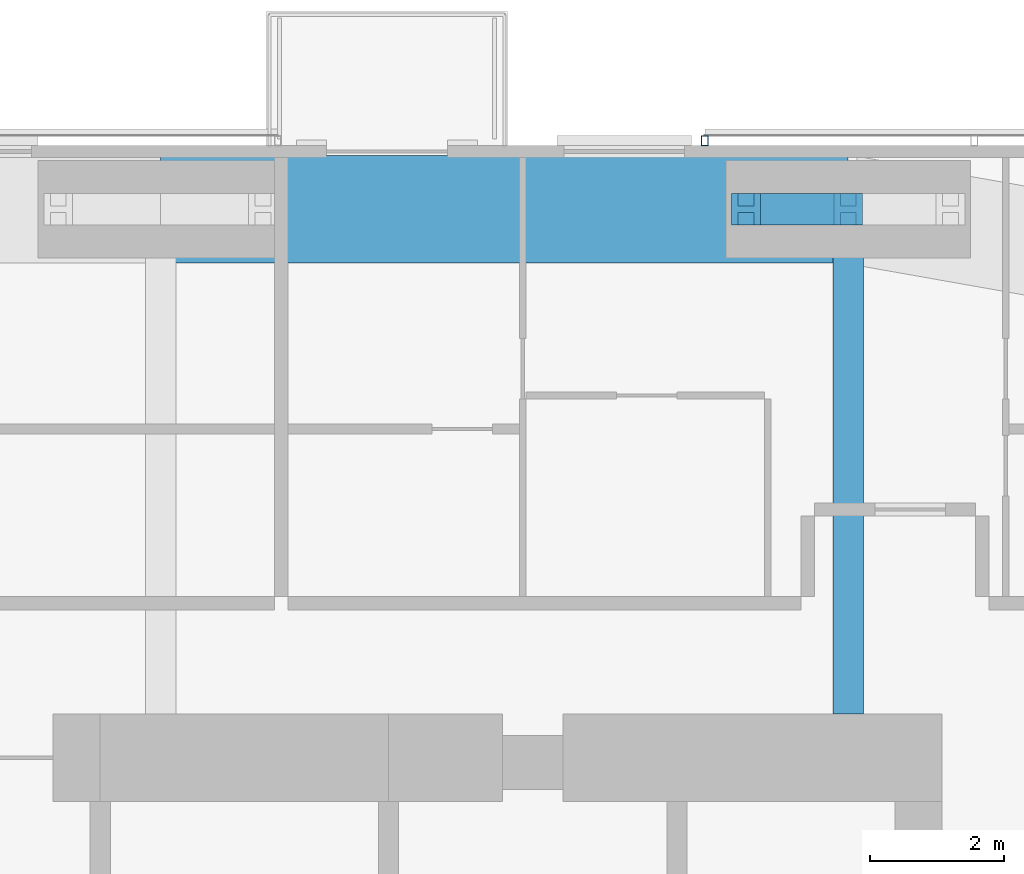
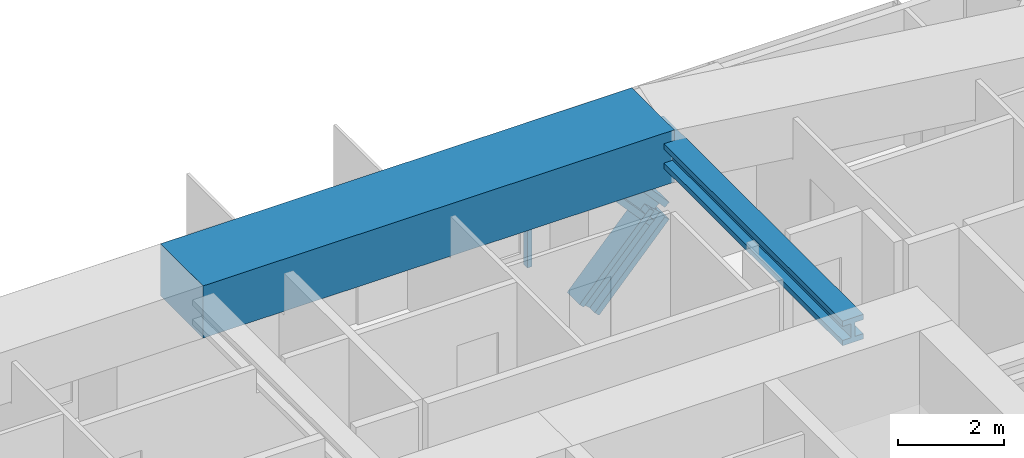
# One storey, part 12 of 23: 3 members, 2 beams, 1 element without a shape of its own.
"""IFC4 building model written with IfcOpenShell, lengths in metres."""

from ifc_helpers import new_model, si_unit, direction, frame, origin, origin_2d, place, context, subcontext, project, spatial, rectangle, hollow_rectangle, i_section, extrude, material, material_profile, profile_set, type_object, element, aggregate, save


model = new_model("IFC4")

# Units and contexts
model_context = context("Model", 3, precision=1e-05, world=origin(), true_north=direction((0.0, 1.0)))
body_context = subcontext(model_context, "Body", "Model", "MODEL_VIEW")
ifc_project = project(units=[si_unit("LENGTHUNIT", "METRE"), si_unit("AREAUNIT", "SQUARE_METRE"), si_unit("VOLUMEUNIT", "CUBIC_METRE"), si_unit("PLANEANGLEUNIT", "RADIAN"), si_unit("MASSUNIT", "GRAM", prefix="KILO")], contexts=[model_context])

# Site, building, storey
site_placement = place(None, origin())
site = spatial("IfcSite", under=ifc_project, at=site_placement, CompositionType="ELEMENT")
building_placement = place(site_placement, origin())
building = spatial("IfcBuilding", under=site, at=building_placement, Name="Jalousie Tower", CompositionType="ELEMENT")
storey_placement = place(building_placement, frame((0.0, 0.0, 194.550048828125)))
storey = spatial("IfcBuildingStorey", under=building, at=storey_placement, Name="L53", CompositionType="ELEMENT", Elevation=194.550048828125)

# Beam
ifc_material_1 = material(Name="Steel ASTM A992 Grade 50", Category="steel")
ifc_material_profile_1 = material_profile(ifc_material_1, i_section(OverallWidth=0.45458984375, OverallDepth=0.569091796875, WebThickness=0.077880859375, FlangeThickness=0.124755859375, at=origin_2d()), Name="W14X730")
ifc_profile_set_1 = profile_set([ifc_material_profile_1], Name="Steel ASTM A992 Grade 50")
beam_type_1 = type_object("IfcBeamType", Name="LEAN COLLECTOR W14X730", PredefinedType="BEAM", material=ifc_profile_set_1)
beam_1_placement = place(storey_placement, frame((42.75, 35.050048828125, 2.825439453125), z_axis=(0.0, -1.0, 0.0), x_axis=(1.0, 0.0, 0.0)))
element("IfcBeam", 1, at=beam_1_placement, inside=storey, type_object=beam_type_1, Name="Lean collector under L54", PredefinedType="BEAM", context=body_context, shape_type="SweptSolid", body=[
    extrude(i_section(OverallWidth=0.45458984375, OverallDepth=0.569091796875, WebThickness=0.077880859375, FlangeThickness=0.124755859375, at=origin_2d()), origin(), (0.0, 0.0, 1.0), 7.525146484375),
])

# Members
ifc_material_2 = material(Name="Steel ASTM A992 Grade 50", Category="steel")
ifc_material_profile_2 = material_profile(ifc_material_2, i_section(OverallWidth=0.472412109375, OverallDepth=0.5791015625, WebThickness=0.094970703125, FlangeThickness=0.1298828125, at=origin_2d()), Name="W14X808")
ifc_profile_set_2 = profile_set([ifc_material_profile_2], Name="Steel ASTM A992 Grade 50")
member_type_1 = type_object("IfcMemberType", Name="PERIMETER BRACE W14X808", PredefinedType="BRACE", material=ifc_profile_set_2)
for number, where, z_axis, x_axis, name in (
    (2, (41.22509765625, 35.050048828125, -0.60009765625), (0.673187629365, 0.0, 0.739471713908), (0.0, 1.0, 0.0), "Perimeter brace 09 L53 part 1"),
    (3, (42.75, 35.050048828125, 1.074951171875), (-0.673187629365, 0.0, 0.739471713908), (0.0, -1.0, 0.0), "Perimeter brace 09 L53 part 4"),
):
    element("IfcMember", number, at=place(storey_placement, frame(where, z_axis=z_axis, x_axis=x_axis)), inside=storey, type_object=member_type_1, Name=name, PredefinedType="BRACE", context=body_context, shape_type="SweptSolid", body=[
        extrude(i_section(OverallWidth=0.472412109375, OverallDepth=0.5791015625, WebThickness=0.094970703125, FlangeThickness=0.1298828125, at=origin_2d()), origin(), (0.0, 0.0, 1.0), 2.26513671875),
    ])

# Beam
ifc_material_3 = material(Name="Concrete f'c 40 MPa", Category="concrete")
ifc_material_profile_3 = material_profile(ifc_material_3, rectangle(XDim=1.60009765625, YDim=1.199951171875, at=origin_2d()), Name="RC 1600x1200")
ifc_profile_set_3 = profile_set([ifc_material_profile_3], Name="Concrete f'c 40 MPa")
beam_type_2 = type_object("IfcBeamType", Name="RC BEAM 1600x1200", PredefinedType="BEAM", material=ifc_profile_set_3)
beam_2_placement = place(storey_placement, frame((42.75, 35.050048828125, 2.75), z_axis=(-1.0, 0.0, 0.0), x_axis=(0.0, -1.0, 0.0)))
element("IfcBeam", 4, at=beam_2_placement, inside=storey, type_object=beam_type_2, Name="Edge band beam 09-10 under L54", PredefinedType="BEAM", context=body_context, shape_type="SweptSolid", body=[
    extrude(rectangle(XDim=1.60009765625, YDim=1.199951171875, at=origin_2d()), origin(), (0.0, 0.0, 1.0), 10.25),
])

# Curtain wall, member
ifc_material_4 = material(Name="Perforated aluminium sheet", Category="aluminium")
curtain_wall_type = type_object("IfcCurtainWallType", Name="SOLAR SCREEN SS-1", PredefinedType="USERDEFINED", material=ifc_material_4)
curtain_wall_placement = place(storey_placement, origin())
curtain_wall = element("IfcCurtainWall", 5, at=curtain_wall_placement, inside=storey, type_object=curtain_wall_type, Name="Solar screen L53", ObjectType="SOLAR SCREEN SS-1", PredefinedType="USERDEFINED")
ifc_material_5 = material(Name="Steel ASTM A500 Grade C", Category="steel")
ifc_material_profile_4 = material_profile(ifc_material_5, hollow_rectangle(XDim=0.1015625, YDim=0.15234375, WallThickness=0.00634765625, at=origin_2d()), Name="HSS6X4X1/4")
ifc_profile_set_4 = profile_set([ifc_material_profile_4], Name="Steel ASTM A500 Grade C")
member_type_2 = type_object("IfcMemberType", Name="SOLAR SCREEN SS-1 MULLION", PredefinedType="MULLION", material=ifc_profile_set_4)
member_placement = place(storey_placement, frame((40.612548828125, 36.0712890625, -0.1201171875), z_axis=(0.0, 0.0, 1.0), x_axis=(-1.0, 0.0, 0.0)))
member = element("IfcMember", 6, at=member_placement, type_object=member_type_2, Name="SS1 post 3", PredefinedType="MULLION", context=body_context, shape_type="SweptSolid", body=[
    extrude(hollow_rectangle(XDim=0.1015625, YDim=0.15234375, WallThickness=0.00634765625, at=origin_2d()), origin(), (0.0, 0.0, 1.0), 3.22998046875),
])
aggregate(curtain_wall, [member])

save(model, "model.ifc")
